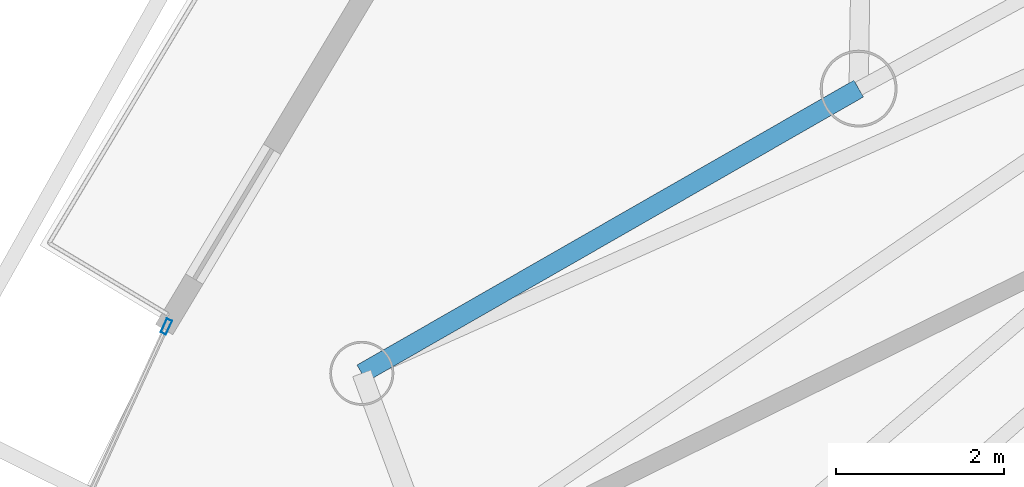
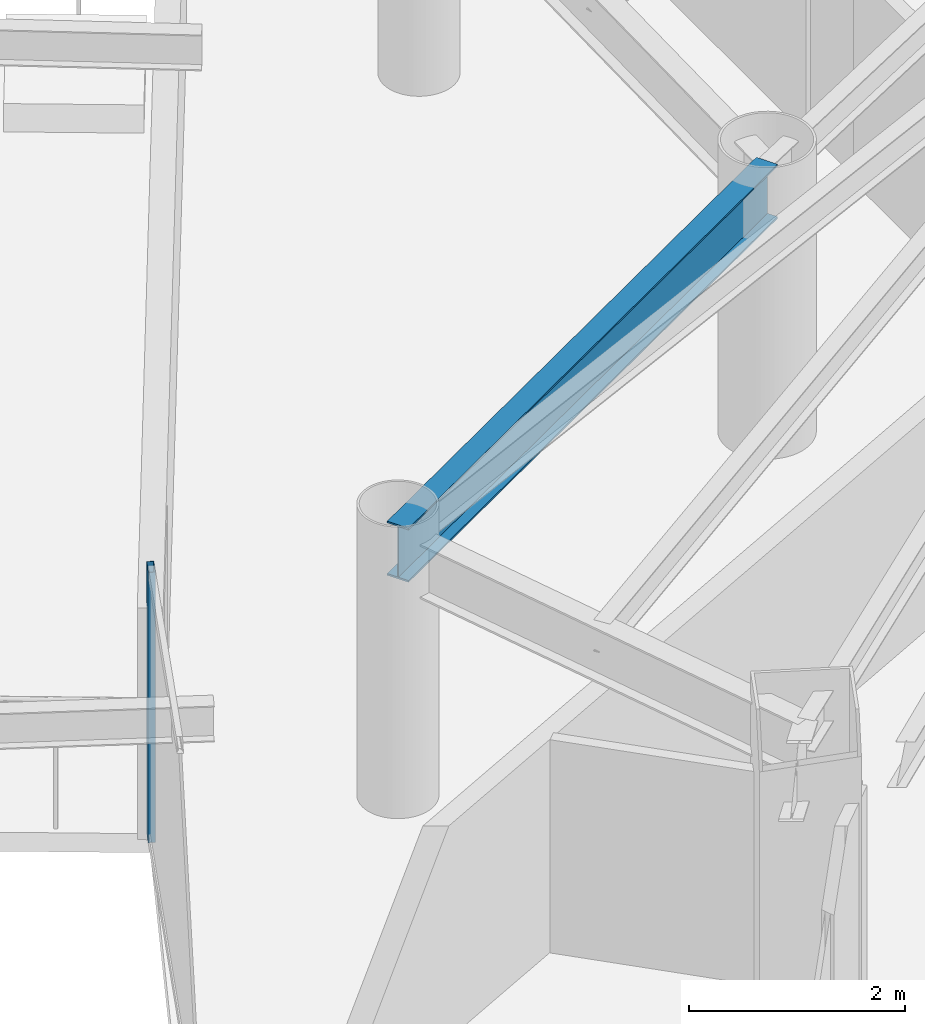
# One storey, part 10 of 35: 1 beam, 1 member, 1 element without a shape of its own.
"""IFC4 building model written with IfcOpenShell, lengths in metres."""

from ifc_helpers import new_model, si_unit, direction, frame, origin, origin_2d, place, context, subcontext, project, spatial, hollow_rectangle, i_section, extrude, material, layer, layer_set, material_profile, profile_set, type_object, element, aggregate, save


model = new_model("IFC4")

# Units and contexts
model_context = context("Model", 3, precision=1e-05, world=origin(), true_north=direction((0.0, 1.0)))
body_context = subcontext(model_context, "Body", "Model", "MODEL_VIEW")
ifc_project = project(units=[si_unit("LENGTHUNIT", "METRE"), si_unit("AREAUNIT", "SQUARE_METRE"), si_unit("VOLUMEUNIT", "CUBIC_METRE"), si_unit("PLANEANGLEUNIT", "RADIAN"), si_unit("MASSUNIT", "GRAM", prefix="KILO")], contexts=[model_context])

# Site, building, storey
site_placement = place(None, origin())
site = spatial("IfcSite", under=ifc_project, at=site_placement, CompositionType="ELEMENT")
building_placement = place(site_placement, origin())
building = spatial("IfcBuilding", under=site, at=building_placement, Name="Orvanel Arch Residences", CompositionType="ELEMENT")
storey_placement = place(building_placement, frame((0.0, 0.0, 33.5)))
storey = spatial("IfcBuildingStorey", under=building, at=storey_placement, Name="L08", CompositionType="ELEMENT", Elevation=33.5)

# Curtain wall, member
ifc_material_1 = material(Name="Bronze-anodised aluminium AA6063-T6", Category="aluminium")
ifc_layer = layer(ifc_material_1, 0.179931640625)
ifc_layer_set = layer_set([ifc_layer], Name="Bronze-anodised aluminium AA6063-T6")
curtain_wall_type = type_object("IfcCurtainWallType", Name="CW2-LOW-SYS", PredefinedType="NOTDEFINED", material=ifc_layer_set)
curtain_wall_placement = place(storey_placement, origin())
curtain_wall = element("IfcCurtainWall", 1, at=curtain_wall_placement, inside=storey, type_object=curtain_wall_type, Name="L08 CW2-LOW-SYS Unitised Curtain Wall", PredefinedType="NOTDEFINED")
ifc_material_profile_1 = material_profile(ifc_material_1, hollow_rectangle(XDim=0.070068359375, YDim=0.179931640625, WallThickness=0.00439453125, at=origin_2d()), Name="ALU180x70x4.5")
ifc_profile_set_1 = profile_set([ifc_material_profile_1], Name="Bronze-anodised aluminium AA6063-T6")
member_type = type_object("IfcMemberType", Name="MUL-180x70", PredefinedType="MULLION", material=ifc_profile_set_1)
member_placement = place(storey_placement, frame((12.33935546875, 24.812255859375, 0.0), z_axis=(0.0, 0.0, 1.0), x_axis=(0.909118333197, -0.416537940944, 0.0)))
member = element("IfcMember", 2, at=member_placement, type_object=member_type, Name="CW-S2 mullion 1", PredefinedType="MULLION", context=body_context, shape_type="SweptSolid", body=[
    extrude(hollow_rectangle(XDim=0.070068359375, YDim=0.179931640625, WallThickness=0.00439453125, at=origin_2d()), origin(), (0.0, 0.0, 1.0), 3.06005859375),
])
aggregate(curtain_wall, [member])

# Beam
ifc_material_2 = material(Name="Structural steel AS/NZS 3679.1 Grade 300 (300 MPa)", Category="steel")
ifc_material_profile_2 = material_profile(ifc_material_2, i_section(OverallWidth=0.22900390625, OverallDepth=0.612060546875, WebThickness=0.011962890625, FlangeThickness=0.01953125, at=origin_2d()), Name="610UB125")
ifc_profile_set_2 = profile_set([ifc_material_profile_2], Name="Structural steel AS/NZS 3679.1 Grade 300 (300 MPa)")
beam_type = type_object("IfcBeamType", Name="SP-610UB", PredefinedType="SPANDREL", material=ifc_profile_set_2)
beam_placement = place(storey_placement, frame((20.569091796875, 27.64111328125, 2.75390625), z_axis=(-0.867635629025, -0.497200578485, 0.0), x_axis=(0.497200578485, -0.867635629025, 0.0)))
element("IfcBeam", 3, at=beam_placement, inside=storey, type_object=beam_type, Name="L08 Perimeter Spandrel Beam 21", PredefinedType="SPANDREL", context=body_context, shape_type="SweptSolid", body=[
    extrude(i_section(OverallWidth=0.22900390625, OverallDepth=0.612060546875, WebThickness=0.011962890625, FlangeThickness=0.01953125, at=origin_2d()), origin(), (0.0, 0.0, 1.0), 6.80810546875),
])

save(model, "model.ifc")
